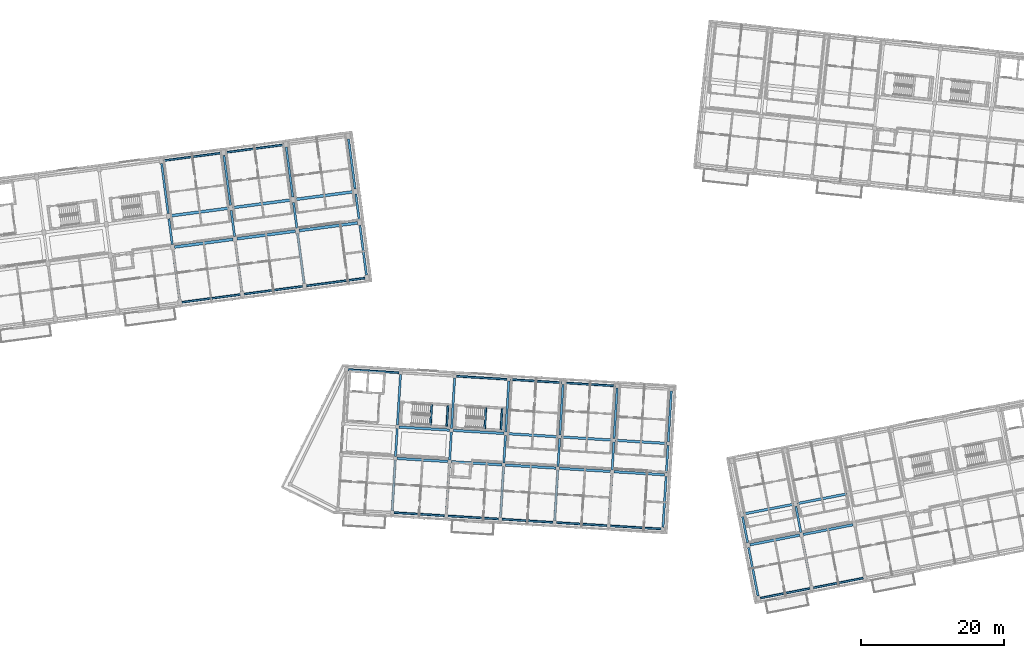
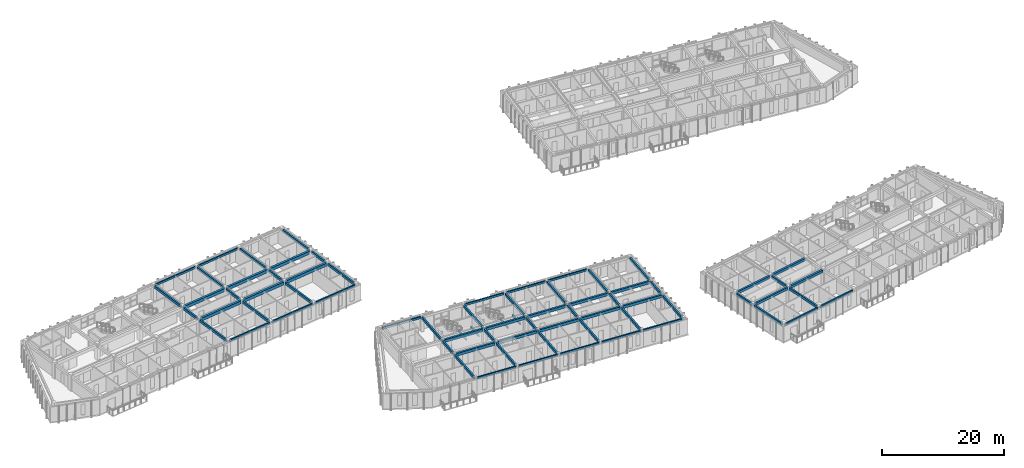
# One storey, part 5 of 66: 74 beams.
"""IFC4 building model written with IfcOpenShell, lengths in metres."""

from ifc_helpers import new_model, si_unit, direction, frame, origin, origin_2d, place, context, subcontext, project, spatial, rectangle, extrude, material, material_profile, profile_set, type_object, element, save


model = new_model("IFC4")

# Units and contexts
model_context = context("Model", 3, precision=1e-05, world=origin(), true_north=direction((0.0, 1.0)))
body_context = subcontext(model_context, "Body", "Model", "MODEL_VIEW")
ifc_project = project(units=[si_unit("LENGTHUNIT", "METRE"), si_unit("AREAUNIT", "SQUARE_METRE"), si_unit("VOLUMEUNIT", "CUBIC_METRE"), si_unit("PLANEANGLEUNIT", "RADIAN"), si_unit("MASSUNIT", "GRAM", prefix="KILO")], contexts=[model_context])

# Site, building, storey
site_placement = place(None, origin())
site = spatial("IfcSite", under=ifc_project, at=site_placement, CompositionType="ELEMENT")
building_placement = place(site_placement, origin())
building = spatial("IfcBuilding", under=site, at=building_placement, Name="Kestramere Prow Commons", CompositionType="ELEMENT")
storey_placement = place(building_placement, frame((0.0, 0.0, 14.89990234375)))
storey = spatial("IfcBuildingStorey", under=building, at=storey_placement, Name="L04", CompositionType="ELEMENT", Elevation=14.89990234375)

# Beams
ifc_material_1 = material(Name="Precast concrete C40/50", Category="concrete")
ifc_material_profile_1 = material_profile(ifc_material_1, rectangle(XDim=0.39990234375, YDim=0.60009765625, at=origin_2d()), Name="PC-BM 400x600")
ifc_profile_set_1 = profile_set([ifc_material_profile_1], Name="Precast concrete C40/50")
beam_type_1 = type_object("IfcBeamType", Name="BM-A1 PC-BM 400x600", PredefinedType="BEAM", material=ifc_profile_set_1)
beam_1_placement = place(storey_placement, frame((36.628662109375, 83.215087890625, 2.7001953125), z_axis=(0.991443917843, 0.130533358852, 0.0), x_axis=(-0.130533358852, 0.991443917843, 0.0)))
element("IfcBeam", 1, at=beam_1_placement, inside=storey, type_object=beam_type_1, Name="Block A L04 Longitudinal Beam 2-4", PredefinedType="BEAM", context=body_context, shape_type="SweptSolid", body=[
    extrude(rectangle(XDim=0.39990234375, YDim=0.60009765625, at=origin_2d()), origin(), (0.0, 0.0, 1.0), 8.25),
])
beam_2_placement = place(storey_placement, frame((45.353515625, 84.36376953125, 2.7001953125), z_axis=(0.991447243185, 0.130508099291, 0.0), x_axis=(-0.130508099291, 0.991447243185, 0.0)))
element("IfcBeam", 2, at=beam_2_placement, inside=storey, type_object=beam_type_1, Name="Block A L04 Longitudinal Beam 2-5", PredefinedType="BEAM", context=body_context, shape_type="SweptSolid", body=[
    extrude(rectangle(XDim=0.39990234375, YDim=0.60009765625, at=origin_2d()), origin(), (0.0, 0.0, 1.0), 8.249755859375),
])
for number, where, z_axis, x_axis, name in (
    (3, (54.078125, 85.51220703125, 2.7001953125), (0.991443917843, 0.130533358852, 0.0), (-0.130533358852, 0.991443917843, 0.0), "Block A L04 Longitudinal Beam 2-6"),
    (4, (36.054443359375, 87.577392578125, 2.7001953125), (0.991443917843, 0.130533358852, 0.0), (-0.130533358852, 0.991443917843, 0.0), "Block A L04 Longitudinal Beam 3-4"),
    (5, (44.779052734375, 88.72607421875, 2.7001953125), (0.991443917843, 0.130533358852, 0.0), (-0.130533358852, 0.991443917843, 0.0), "Block A L04 Longitudinal Beam 3-5"),
):
    element("IfcBeam", number, at=place(storey_placement, frame(where, z_axis=z_axis, x_axis=x_axis)), inside=storey, type_object=beam_type_1, Name=name, PredefinedType="BEAM", context=body_context, shape_type="SweptSolid", body=[
        extrude(rectangle(XDim=0.39990234375, YDim=0.60009765625, at=origin_2d()), origin(), (0.0, 0.0, 1.0), 8.25),
    ])
beam_3_placement = place(storey_placement, frame((53.50390625, 89.874755859375, 2.7001953125), z_axis=(0.991447243185, 0.130508099291, 0.0), x_axis=(-0.130508099291, 0.991447243185, 0.0)))
element("IfcBeam", 6, at=beam_3_placement, inside=storey, type_object=beam_type_1, Name="Block A L04 Longitudinal Beam 3-6", PredefinedType="BEAM", context=body_context, shape_type="SweptSolid", body=[
    extrude(rectangle(XDim=0.39990234375, YDim=0.60009765625, at=origin_2d()), origin(), (0.0, 0.0, 1.0), 8.249755859375),
])
ifc_material_profile_2 = material_profile(ifc_material_1, rectangle(XDim=0.35009765625, YDim=0.550048828125, at=origin_2d()), Name="PC-BM 350x550")
ifc_profile_set_2 = profile_set([ifc_material_profile_2], Name="Precast concrete C40/50")
beam_type_2 = type_object("IfcBeamType", Name="BM-C1 PC-BM 350x550", PredefinedType="BEAM", material=ifc_profile_set_2)
for number, where, z_axis, x_axis, name in (
    (7, (67.79931640625, 53.606689453125, 2.72509765625), (0.998133472633, -0.061070212127, 0.0), (0.061070212127, 0.998133472633, 0.0), "Block C L04 Longitudinal Beam 2-2"),
    (8, (75.38525390625, 53.142578125, 2.72509765625), (0.998135568114, -0.061035953884, 0.0), (0.061035953884, 0.998135568114, 0.0), "Block C L04 Longitudinal Beam 2-3"),
    (9, (82.970947265625, 52.6787109375, 2.72509765625), (0.998133472633, -0.061070212127, 0.0), (0.061070212127, 0.998133472633, 0.0), "Block C L04 Longitudinal Beam 2-4"),
    (10, (90.556884765625, 52.214599609375, 2.72509765625), (0.998135568114, -0.061035953884, 0.0), (0.061035953884, 0.998135568114, 0.0), "Block C L04 Longitudinal Beam 2-5"),
):
    element("IfcBeam", number, at=place(storey_placement, frame(where, z_axis=z_axis, x_axis=x_axis)), inside=storey, type_object=beam_type_2, Name=name, PredefinedType="BEAM", context=body_context, shape_type="SweptSolid", body=[
        extrude(rectangle(XDim=0.35009765625, YDim=0.550048828125, at=origin_2d()), origin(), (0.0, 0.0, 1.0), 7.099853515625),
    ])
for number, where, z_axis, x_axis, name in (
    (11, (98.142578125, 51.750732421875, 2.72509765625), (0.99813569621, -0.061033859059, 0.0), (0.061033859059, 0.99813569621, 0.0), "Block C L04 Longitudinal Beam 2-6"),
    (12, (68.06787109375, 57.998291015625, 2.72509765625), (0.99813569621, -0.061033859059, 0.0), (0.061033859059, 0.99813569621, 0.0), "Block C L04 Longitudinal Beam 3-2"),
):
    element("IfcBeam", number, at=place(storey_placement, frame(where, z_axis=z_axis, x_axis=x_axis)), inside=storey, type_object=beam_type_2, Name=name, PredefinedType="BEAM", context=body_context, shape_type="SweptSolid", body=[
        extrude(rectangle(XDim=0.35009765625, YDim=0.550048828125, at=origin_2d()), origin(), (0.0, 0.0, 1.0), 7.10009765625),
    ])
beam_4_placement = place(storey_placement, frame((75.65380859375, 57.534423828125, 2.72509765625), z_axis=(0.998135568114, -0.061035953884, 0.0), x_axis=(0.061035953884, 0.998135568114, 0.0)))
element("IfcBeam", 13, at=beam_4_placement, inside=storey, type_object=beam_type_2, Name="Block C L04 Longitudinal Beam 3-3", PredefinedType="BEAM", context=body_context, shape_type="SweptSolid", body=[
    extrude(rectangle(XDim=0.35009765625, YDim=0.550048828125, at=origin_2d()), origin(), (0.0, 0.0, 1.0), 7.099853515625),
])
beam_5_placement = place(storey_placement, frame((83.239501953125, 57.070556640625, 2.72509765625), z_axis=(0.998133600873, -0.061068116134, 0.0), x_axis=(0.061068116134, 0.998133600873, 0.0)))
element("IfcBeam", 14, at=beam_5_placement, inside=storey, type_object=beam_type_2, Name="Block C L04 Longitudinal Beam 3-4", PredefinedType="BEAM", context=body_context, shape_type="SweptSolid", body=[
    extrude(rectangle(XDim=0.35009765625, YDim=0.550048828125, at=origin_2d()), origin(), (0.0, 0.0, 1.0), 7.10009765625),
])
beam_6_placement = place(storey_placement, frame((90.825439453125, 56.6064453125, 2.72509765625), z_axis=(0.998135568114, -0.061035953884, 0.0), x_axis=(0.061035953884, 0.998135568114, 0.0)))
element("IfcBeam", 15, at=beam_6_placement, inside=storey, type_object=beam_type_2, Name="Block C L04 Longitudinal Beam 3-5", PredefinedType="BEAM", context=body_context, shape_type="SweptSolid", body=[
    extrude(rectangle(XDim=0.35009765625, YDim=0.550048828125, at=origin_2d()), origin(), (0.0, 0.0, 1.0), 7.099853515625),
])
beam_7_placement = place(storey_placement, frame((98.4111328125, 56.142578125, 2.72509765625), z_axis=(0.998133600873, -0.061068116134, 0.0), x_axis=(0.061068116134, 0.998133600873, 0.0)))
element("IfcBeam", 16, at=beam_7_placement, inside=storey, type_object=beam_type_2, Name="Block C L04 Longitudinal Beam 3-6", PredefinedType="BEAM", context=body_context, shape_type="SweptSolid", body=[
    extrude(rectangle(XDim=0.35009765625, YDim=0.550048828125, at=origin_2d()), origin(), (0.0, 0.0, 1.0), 7.10009765625),
])
ifc_material_profile_3 = material_profile(ifc_material_1, rectangle(XDim=0.35009765625, YDim=0.5, at=origin_2d()), Name="PC-BM 350x500")
ifc_profile_set_3 = profile_set([ifc_material_profile_3], Name="Precast concrete C40/50")
beam_type_3 = type_object("IfcBeamType", Name="BM-D1 PC-BM 350x500", PredefinedType="BEAM", material=ifc_profile_set_3)
beam_8_placement = place(storey_placement, frame((117.1953125, 41.508056640625, 2.75), z_axis=(0.981627020401, 0.190809834175, 0.0), x_axis=(-0.190809834175, 0.981627020401, 0.0)))
element("IfcBeam", 17, at=beam_8_placement, inside=storey, type_object=beam_type_3, Name="Block D L04 Longitudinal Beam 2-1", PredefinedType="BEAM", context=body_context, shape_type="SweptSolid", body=[
    extrude(rectangle(XDim=0.35009765625, YDim=0.5, at=origin_2d()), origin(), (0.0, 0.0, 1.0), 7.099853515625),
])
beam_9_placement = place(storey_placement, frame((124.655517578125, 42.958251953125, 2.75), z_axis=(0.98162827229, 0.190803393686, 0.0), x_axis=(-0.190803393686, 0.98162827229, 0.0)))
element("IfcBeam", 18, at=beam_9_placement, inside=storey, type_object=beam_type_3, Name="Block D L04 Longitudinal Beam 2-2", PredefinedType="BEAM", context=body_context, shape_type="SweptSolid", body=[
    extrude(rectangle(XDim=0.35009765625, YDim=0.5, at=origin_2d()), origin(), (0.0, 0.0, 1.0), 7.10009765625),
])
for number, where, z_axis, x_axis, name in (
    (19, (116.355712890625, 45.8271484375, 2.75), (0.981627020401, 0.190809834175, 0.0), (-0.190809834175, 0.981627020401, 0.0), "Block D L04 Longitudinal Beam 3-1"),
    (20, (123.816162109375, 47.27734375, 2.75), (0.981627020401, 0.190809834175, 0.0), (-0.190809834175, 0.981627020401, 0.0), "Block D L04 Longitudinal Beam 3-2"),
):
    element("IfcBeam", number, at=place(storey_placement, frame(where, z_axis=z_axis, x_axis=x_axis)), inside=storey, type_object=beam_type_3, Name=name, PredefinedType="BEAM", context=body_context, shape_type="SweptSolid", body=[
        extrude(rectangle(XDim=0.35009765625, YDim=0.5, at=origin_2d()), origin(), (0.0, 0.0, 1.0), 7.099853515625),
    ])
ifc_material_2 = material(Name="Concrete C40/50", Category="concrete")
ifc_material_profile_4 = material_profile(ifc_material_2, rectangle(XDim=0.25, YDim=0.35009765625, at=origin_2d()), Name="PC-BM 250x350")
ifc_profile_set_4 = profile_set([ifc_material_profile_4], Name="Concrete C40/50")
beam_type_4 = type_object("IfcBeamType", Name="BM-ST-TRIM", PredefinedType="BEAM", material=ifc_profile_set_4)
for number, where, z_axis, x_axis, name in (
    (21, (72.462158203125, 58.260498046875, 1.25), (0.061073995712, 0.99813324113, 0.0), (-0.99813324113, 0.061073995712, 0.0), "ST-C1 L04 Landing Trimmer Beam 1A"),
    (22, (74.73779296875, 58.121337890625, 1.25), (0.061073995712, 0.99813324113, 0.0), (-0.99813324113, 0.061073995712, 0.0), "ST-C1 L04 Landing Trimmer Beam 1B"),
):
    element("IfcBeam", number, at=place(storey_placement, frame(where, z_axis=z_axis, x_axis=x_axis)), inside=storey, type_object=beam_type_4, Name=name, PredefinedType="BEAM", context=body_context, shape_type="SweptSolid", body=[
        extrude(rectangle(XDim=0.25, YDim=0.35009765625, at=origin_2d()), origin(), (0.0, 0.0, 1.0), 2.89013671875),
    ])
for number, where, z_axis, x_axis, name in (
    (23, (80.0478515625, 57.796630859375, 1.25), (0.06107914562, 0.998132926003, 0.0), (-0.998132926003, 0.06107914562, 0.0), "ST-C2 L04 Landing Trimmer Beam 1A"),
    (24, (82.32373046875, 57.657470703125, 1.25), (0.06107914562, 0.998132926003, 0.0), (-0.998132926003, 0.06107914562, 0.0), "ST-C2 L04 Landing Trimmer Beam 1B"),
):
    element("IfcBeam", number, at=place(storey_placement, frame(where, z_axis=z_axis, x_axis=x_axis)), inside=storey, type_object=beam_type_4, Name=name, PredefinedType="BEAM", context=body_context, shape_type="SweptSolid", body=[
        extrude(rectangle(XDim=0.25, YDim=0.35009765625, at=origin_2d()), origin(), (0.0, 0.0, 1.0), 2.889892578125),
    ])
ifc_material_profile_5 = material_profile(ifc_material_1, rectangle(XDim=0.300048828125, YDim=0.5, at=origin_2d()), Name="PC-BM 300x500")
ifc_profile_set_5 = profile_set([ifc_material_profile_5], Name="Precast concrete C40/50")
beam_type_5 = type_object("IfcBeamType", Name="BM-TIE-01 PC-BM 300x500", PredefinedType="BEAM", material=ifc_profile_set_5)
beam_10_placement = place(storey_placement, frame((37.3251953125, 75.817626953125, 2.75), z_axis=(-0.130519009654, 0.99144580695, 0.0), x_axis=(-0.99144580695, -0.130519009654, 0.0)))
element("IfcBeam", 25, at=beam_10_placement, inside=storey, type_object=beam_type_5, Name="Block A L04 Transverse Beam 4-1", PredefinedType="BEAM", context=body_context, shape_type="SweptSolid", body=[
    extrude(rectangle(XDim=0.300048828125, YDim=0.5, at=origin_2d()), origin(), (0.0, 0.0, 1.0), 7.050048828125),
])
beam_11_placement = place(storey_placement, frame((36.30712890625, 83.551025390625, 2.75), z_axis=(-0.130568711427, 0.991439262687, 0.0), x_axis=(-0.991439262687, -0.130568711427, 0.0)))
element("IfcBeam", 26, at=beam_11_placement, inside=storey, type_object=beam_type_5, Name="Block A L04 Transverse Beam 4-2", PredefinedType="BEAM", context=body_context, shape_type="SweptSolid", body=[
    extrude(rectangle(XDim=0.300048828125, YDim=0.5, at=origin_2d()), origin(), (0.0, 0.0, 1.0), 3.64990234375),
])
for number, where, z_axis, x_axis, name in (
    (27, (35.732666015625, 87.913330078125, 2.75), (-0.130519009654, 0.99144580695, 0.0), (-0.99144580695, -0.130519009654, 0.0), "Block A L04 Transverse Beam 4-3"),
    (28, (46.0498046875, 76.96630859375, 2.75), (-0.130519009654, 0.99144580695, 0.0), (-0.99144580695, -0.130519009654, 0.0), "Block A L04 Transverse Beam 5-1"),
):
    element("IfcBeam", number, at=place(storey_placement, frame(where, z_axis=z_axis, x_axis=x_axis)), inside=storey, type_object=beam_type_5, Name=name, PredefinedType="BEAM", context=body_context, shape_type="SweptSolid", body=[
        extrude(rectangle(XDim=0.300048828125, YDim=0.5, at=origin_2d()), origin(), (0.0, 0.0, 1.0), 7.050048828125),
    ])
beam_12_placement = place(storey_placement, frame((45.03173828125, 84.699462890625, 2.75), z_axis=(-0.130494307047, 0.991449058615, 0.0), x_axis=(-0.991449058615, -0.130494307047, 0.0)))
element("IfcBeam", 29, at=beam_12_placement, inside=storey, type_object=beam_type_5, Name="Block A L04 Transverse Beam 5-2", PredefinedType="BEAM", context=body_context, shape_type="SweptSolid", body=[
    extrude(rectangle(XDim=0.300048828125, YDim=0.5, at=origin_2d()), origin(), (0.0, 0.0, 1.0), 3.650146484375),
])
beam_13_placement = place(storey_placement, frame((44.45751953125, 89.06201171875, 2.75), z_axis=(-0.130523490966, 0.991445216997, 0.0), x_axis=(-0.991445216997, -0.130523490966, 0.0)))
element("IfcBeam", 30, at=beam_13_placement, inside=storey, type_object=beam_type_5, Name="Block A L04 Transverse Beam 5-3", PredefinedType="BEAM", context=body_context, shape_type="SweptSolid", body=[
    extrude(rectangle(XDim=0.300048828125, YDim=0.5, at=origin_2d()), origin(), (0.0, 0.0, 1.0), 7.0498046875),
])
beam_14_placement = place(storey_placement, frame((54.774658203125, 78.114990234375, 2.75), z_axis=(-0.130519009654, 0.99144580695, 0.0), x_axis=(-0.99144580695, -0.130519009654, 0.0)))
element("IfcBeam", 31, at=beam_14_placement, inside=storey, type_object=beam_type_5, Name="Block A L04 Transverse Beam 6-1", PredefinedType="BEAM", context=body_context, shape_type="SweptSolid", body=[
    extrude(rectangle(XDim=0.300048828125, YDim=0.5, at=origin_2d()), origin(), (0.0, 0.0, 1.0), 7.050048828125),
])
beam_15_placement = place(storey_placement, frame((53.756591796875, 85.84814453125, 2.75), z_axis=(-0.13056005306, 0.991440402921, 0.0), x_axis=(-0.991440402921, -0.13056005306, 0.0)))
element("IfcBeam", 32, at=beam_15_placement, inside=storey, type_object=beam_type_5, Name="Block A L04 Transverse Beam 6-2", PredefinedType="BEAM", context=body_context, shape_type="SweptSolid", body=[
    extrude(rectangle(XDim=0.300048828125, YDim=0.5, at=origin_2d()), origin(), (0.0, 0.0, 1.0), 3.650146484375),
])
for number, where, z_axis, x_axis, name in (
    (33, (53.18212890625, 90.210693359375, 2.75), (-0.130523490966, 0.991445216997, 0.0), (-0.991445216997, -0.130523490966, 0.0), "Block A L04 Transverse Beam 6-3"),
    (34, (63.499267578125, 79.263671875, 2.75), (-0.130523490966, 0.991445216997, 0.0), (-0.991445216997, -0.130523490966, 0.0), "Block A L04 Transverse Beam 7-1"),
):
    element("IfcBeam", number, at=place(storey_placement, frame(where, z_axis=z_axis, x_axis=x_axis)), inside=storey, type_object=beam_type_5, Name=name, PredefinedType="BEAM", context=body_context, shape_type="SweptSolid", body=[
        extrude(rectangle(XDim=0.300048828125, YDim=0.5, at=origin_2d()), origin(), (0.0, 0.0, 1.0), 7.0498046875),
    ])
beam_16_placement = place(storey_placement, frame((62.481201171875, 86.996826171875, 2.75), z_axis=(-0.130494307047, 0.991449058615, 0.0), x_axis=(-0.991449058615, -0.130494307047, 0.0)))
element("IfcBeam", 35, at=beam_16_placement, inside=storey, type_object=beam_type_5, Name="Block A L04 Transverse Beam 7-2", PredefinedType="BEAM", context=body_context, shape_type="SweptSolid", body=[
    extrude(rectangle(XDim=0.300048828125, YDim=0.5, at=origin_2d()), origin(), (0.0, 0.0, 1.0), 3.650146484375),
])
beam_17_placement = place(storey_placement, frame((61.906982421875, 91.359130859375, 2.75), z_axis=(-0.130519009654, 0.99144580695, 0.0), x_axis=(-0.99144580695, -0.130519009654, 0.0)))
element("IfcBeam", 36, at=beam_17_placement, inside=storey, type_object=beam_type_5, Name="Block A L04 Transverse Beam 7-3", PredefinedType="BEAM", context=body_context, shape_type="SweptSolid", body=[
    extrude(rectangle(XDim=0.300048828125, YDim=0.5, at=origin_2d()), origin(), (0.0, 0.0, 1.0), 7.050048828125),
])
beam_18_placement = place(storey_placement, frame((67.10107421875, 46.28564453125, 2.75), z_axis=(0.061035953884, 0.998135568114, 0.0), x_axis=(-0.998135568114, 0.061035953884, 0.0)))
element("IfcBeam", 37, at=beam_18_placement, inside=storey, type_object=beam_type_5, Name="Block C L04 Transverse Beam 2-1", PredefinedType="BEAM", context=body_context, shape_type="SweptSolid", body=[
    extrude(rectangle(XDim=0.300048828125, YDim=0.5, at=origin_2d()), origin(), (0.0, 0.0, 1.0), 7.099853515625),
])
beam_19_placement = place(storey_placement, frame((67.56494140625, 53.871337890625, 2.75), z_axis=(0.061096063045, 0.998131890624, 0.0), x_axis=(-0.998131890624, 0.061096063045, 0.0)))
element("IfcBeam", 38, at=beam_19_placement, inside=storey, type_object=beam_type_5, Name="Block C L04 Transverse Beam 2-2", PredefinedType="BEAM", context=body_context, shape_type="SweptSolid", body=[
    extrude(rectangle(XDim=0.300048828125, YDim=0.5, at=origin_2d()), origin(), (0.0, 0.0, 1.0), 3.900146484375),
])
beam_20_placement = place(storey_placement, frame((67.833740234375, 58.26318359375, 2.75), z_axis=(0.061035953884, 0.998135568114, 0.0), x_axis=(-0.998135568114, 0.061035953884, 0.0)))
element("IfcBeam", 39, at=beam_20_placement, inside=storey, type_object=beam_type_5, Name="Block C L04 Transverse Beam 2-3", PredefinedType="BEAM", context=body_context, shape_type="SweptSolid", body=[
    extrude(rectangle(XDim=0.300048828125, YDim=0.5, at=origin_2d()), origin(), (0.0, 0.0, 1.0), 7.099853515625),
])
beam_21_placement = place(storey_placement, frame((74.68701171875, 45.821533203125, 2.75), z_axis=(0.061033859059, 0.99813569621, 0.0), x_axis=(-0.99813569621, 0.061033859059, 0.0)))
element("IfcBeam", 40, at=beam_21_placement, inside=storey, type_object=beam_type_5, Name="Block C L04 Transverse Beam 3-1", PredefinedType="BEAM", context=body_context, shape_type="SweptSolid", body=[
    extrude(rectangle(XDim=0.300048828125, YDim=0.5, at=origin_2d()), origin(), (0.0, 0.0, 1.0), 7.10009765625),
])
beam_22_placement = place(storey_placement, frame((75.15087890625, 53.407470703125, 2.75), z_axis=(0.061037511668, 0.998135472854, 0.0), x_axis=(-0.998135472854, 0.061037511668, 0.0)))
element("IfcBeam", 41, at=beam_22_placement, inside=storey, type_object=beam_type_5, Name="Block C L04 Transverse Beam 3-2", PredefinedType="BEAM", context=body_context, shape_type="SweptSolid", body=[
    extrude(rectangle(XDim=0.300048828125, YDim=0.5, at=origin_2d()), origin(), (0.0, 0.0, 1.0), 3.89990234375),
])
for number, where, z_axis, x_axis, name in (
    (42, (75.41943359375, 57.79931640625, 2.75), (0.061070212127, 0.998133472633, 0.0), (-0.998133472633, 0.061070212127, 0.0), "Block C L04 Transverse Beam 3-3"),
    (43, (82.272705078125, 45.357666015625, 2.75), (0.061070212127, 0.998133472633, 0.0), (-0.998133472633, 0.061070212127, 0.0), "Block C L04 Transverse Beam 4-1"),
):
    element("IfcBeam", number, at=place(storey_placement, frame(where, z_axis=z_axis, x_axis=x_axis)), inside=storey, type_object=beam_type_5, Name=name, PredefinedType="BEAM", context=body_context, shape_type="SweptSolid", body=[
        extrude(rectangle(XDim=0.300048828125, YDim=0.5, at=origin_2d()), origin(), (0.0, 0.0, 1.0), 7.099853515625),
    ])
beam_23_placement = place(storey_placement, frame((82.73681640625, 52.943359375, 2.75), z_axis=(0.061033697925, 0.998135706063, 0.0), x_axis=(-0.998135706063, 0.061033697925, 0.0)))
element("IfcBeam", 44, at=beam_23_placement, inside=storey, type_object=beam_type_5, Name="Block C L04 Transverse Beam 4-2", PredefinedType="BEAM", context=body_context, shape_type="SweptSolid", body=[
    extrude(rectangle(XDim=0.300048828125, YDim=0.5, at=origin_2d()), origin(), (0.0, 0.0, 1.0), 3.900146484375),
])
for number, where, z_axis, x_axis, name in (
    (45, (83.00537109375, 57.335205078125, 2.75), (0.061033859059, 0.99813569621, 0.0), (-0.99813569621, 0.061033859059, 0.0), "Block C L04 Transverse Beam 4-3"),
    (46, (89.858642578125, 44.8935546875, 2.75), (0.061033859059, 0.99813569621, 0.0), (-0.99813569621, 0.061033859059, 0.0), "Block C L04 Transverse Beam 5-1"),
):
    element("IfcBeam", number, at=place(storey_placement, frame(where, z_axis=z_axis, x_axis=x_axis)), inside=storey, type_object=beam_type_5, Name=name, PredefinedType="BEAM", context=body_context, shape_type="SweptSolid", body=[
        extrude(rectangle(XDim=0.300048828125, YDim=0.5, at=origin_2d()), origin(), (0.0, 0.0, 1.0), 7.10009765625),
    ])
beam_24_placement = place(storey_placement, frame((90.322509765625, 52.4794921875, 2.75), z_axis=(0.061033697925, 0.998135706063, 0.0), x_axis=(-0.998135706063, 0.061033697925, 0.0)))
element("IfcBeam", 47, at=beam_24_placement, inside=storey, type_object=beam_type_5, Name="Block C L04 Transverse Beam 5-2", PredefinedType="BEAM", context=body_context, shape_type="SweptSolid", body=[
    extrude(rectangle(XDim=0.300048828125, YDim=0.5, at=origin_2d()), origin(), (0.0, 0.0, 1.0), 3.900146484375),
])
for number, where, z_axis, x_axis, name in (
    (48, (90.591064453125, 56.871337890625, 2.75), (0.061070212127, 0.998133472633, 0.0), (-0.998133472633, 0.061070212127, 0.0), "Block C L04 Transverse Beam 5-3"),
    (49, (97.4443359375, 44.4296875, 2.75), (0.061070212127, 0.998133472633, 0.0), (-0.998133472633, 0.061070212127, 0.0), "Block C L04 Transverse Beam 6-1"),
):
    element("IfcBeam", number, at=place(storey_placement, frame(where, z_axis=z_axis, x_axis=x_axis)), inside=storey, type_object=beam_type_5, Name=name, PredefinedType="BEAM", context=body_context, shape_type="SweptSolid", body=[
        extrude(rectangle(XDim=0.300048828125, YDim=0.5, at=origin_2d()), origin(), (0.0, 0.0, 1.0), 7.099853515625),
    ])
beam_25_placement = place(storey_placement, frame((97.908447265625, 52.015625, 2.75), z_axis=(0.061037511668, 0.998135472854, 0.0), x_axis=(-0.998135472854, 0.061037511668, 0.0)))
element("IfcBeam", 50, at=beam_25_placement, inside=storey, type_object=beam_type_5, Name="Block C L04 Transverse Beam 6-2", PredefinedType="BEAM", context=body_context, shape_type="SweptSolid", body=[
    extrude(rectangle(XDim=0.300048828125, YDim=0.5, at=origin_2d()), origin(), (0.0, 0.0, 1.0), 3.89990234375),
])
beam_26_placement = place(storey_placement, frame((98.177001953125, 56.4072265625, 2.75), z_axis=(0.061033859059, 0.99813569621, 0.0), x_axis=(-0.99813569621, 0.061033859059, 0.0)))
element("IfcBeam", 51, at=beam_26_placement, inside=storey, type_object=beam_type_5, Name="Block C L04 Transverse Beam 6-3", PredefinedType="BEAM", context=body_context, shape_type="SweptSolid", body=[
    extrude(rectangle(XDim=0.300048828125, YDim=0.5, at=origin_2d()), origin(), (0.0, 0.0, 1.0), 7.10009765625),
])
beam_27_placement = place(storey_placement, frame((105.0302734375, 43.9658203125, 2.75), z_axis=(0.061035953884, 0.998135568114, 0.0), x_axis=(-0.998135568114, 0.061035953884, 0.0)))
element("IfcBeam", 52, at=beam_27_placement, inside=storey, type_object=beam_type_5, Name="Block C L04 Transverse Beam 7-1", PredefinedType="BEAM", context=body_context, shape_type="SweptSolid", body=[
    extrude(rectangle(XDim=0.300048828125, YDim=0.5, at=origin_2d()), origin(), (0.0, 0.0, 1.0), 7.099853515625),
])
beam_28_placement = place(storey_placement, frame((105.494140625, 51.551513671875, 2.75), z_axis=(0.061033697925, 0.998135706063, 0.0), x_axis=(-0.998135706063, 0.061033697925, 0.0)))
element("IfcBeam", 53, at=beam_28_placement, inside=storey, type_object=beam_type_5, Name="Block C L04 Transverse Beam 7-2", PredefinedType="BEAM", context=body_context, shape_type="SweptSolid", body=[
    extrude(rectangle(XDim=0.300048828125, YDim=0.5, at=origin_2d()), origin(), (0.0, 0.0, 1.0), 3.900146484375),
])
beam_29_placement = place(storey_placement, frame((105.7626953125, 55.943359375, 2.75), z_axis=(0.061070212127, 0.998133472633, 0.0), x_axis=(-0.998133472633, 0.061070212127, 0.0)))
element("IfcBeam", 54, at=beam_29_placement, inside=storey, type_object=beam_type_5, Name="Block C L04 Transverse Beam 7-3", PredefinedType="BEAM", context=body_context, shape_type="SweptSolid", body=[
    extrude(rectangle(XDim=0.300048828125, YDim=0.5, at=origin_2d()), origin(), (0.0, 0.0, 1.0), 7.099853515625),
])
beam_30_placement = place(storey_placement, frame((118.333251953125, 34.343505859375, 2.75), z_axis=(-0.190819465253, 0.981625148252, 0.0), x_axis=(-0.981625148252, -0.190819465253, 0.0)))
element("IfcBeam", 55, at=beam_30_placement, inside=storey, type_object=beam_type_5, Name="Block D L04 Transverse Beam 1-1", PredefinedType="BEAM", context=body_context, shape_type="SweptSolid", body=[
    extrude(rectangle(XDim=0.300048828125, YDim=0.5, at=origin_2d()), origin(), (0.0, 0.0, 1.0), 6.89990234375),
])
beam_31_placement = place(storey_placement, frame((116.883056640625, 41.803955078125, 2.75), z_axis=(-0.190821974723, 0.981624660429, 0.0), x_axis=(-0.981624660429, -0.190821974723, 0.0)))
element("IfcBeam", 56, at=beam_31_placement, inside=storey, type_object=beam_type_5, Name="Block D L04 Transverse Beam 1-2", PredefinedType="BEAM", context=body_context, shape_type="SweptSolid", body=[
    extrude(rectangle(XDim=0.300048828125, YDim=0.5, at=origin_2d()), origin(), (0.0, 0.0, 1.0), 3.699951171875),
])
beam_32_placement = place(storey_placement, frame((125.793701171875, 35.793701171875, 2.75), z_axis=(-0.190819465253, 0.981625148252, 0.0), x_axis=(-0.981625148252, -0.190819465253, 0.0)))
element("IfcBeam", 57, at=beam_32_placement, inside=storey, type_object=beam_type_5, Name="Block D L04 Transverse Beam 2-1", PredefinedType="BEAM", context=body_context, shape_type="SweptSolid", body=[
    extrude(rectangle(XDim=0.300048828125, YDim=0.5, at=origin_2d()), origin(), (0.0, 0.0, 1.0), 6.89990234375),
])
beam_33_placement = place(storey_placement, frame((124.343505859375, 43.254150390625, 2.75), z_axis=(-0.190834335095, 0.981622257566, 0.0), x_axis=(-0.981622257566, -0.190834335095, 0.0)))
element("IfcBeam", 58, at=beam_33_placement, inside=storey, type_object=beam_type_5, Name="Block D L04 Transverse Beam 2-2", PredefinedType="BEAM", context=body_context, shape_type="SweptSolid", body=[
    extrude(rectangle(XDim=0.300048828125, YDim=0.5, at=origin_2d()), origin(), (0.0, 0.0, 1.0), 3.699951171875),
])
ifc_material_profile_6 = material_profile(ifc_material_1, rectangle(XDim=0.25, YDim=0.39990234375, at=origin_2d()), Name="PC-SP 250x400")
ifc_profile_set_6 = profile_set([ifc_material_profile_6], Name="Precast concrete C40/50")
beam_type_6 = type_object("IfcBeamType", Name="SP-EXT-01 PC-SP 250x400", PredefinedType="SPANDREL", material=ifc_profile_set_6)
for number, where, z_axis, x_axis, name in (
    (59, (37.646728515625, 75.481689453125, 2.800048828125), (0.991443917843, 0.130533358852, 0.0), (-0.130533358852, 0.991443917843, 0.0), "Block A L04 Longitudinal Beam 1-4"),
    (60, (46.37158203125, 76.63037109375, 2.800048828125), (0.991443917843, 0.130533358852, 0.0), (-0.130533358852, 0.991443917843, 0.0), "Block A L04 Longitudinal Beam 1-5"),
    (61, (55.09619140625, 77.779052734375, 2.800048828125), (0.991443917843, 0.130533358852, 0.0), (-0.130533358852, 0.991443917843, 0.0), "Block A L04 Longitudinal Beam 1-6"),
):
    element("IfcBeam", number, at=place(storey_placement, frame(where, z_axis=z_axis, x_axis=x_axis)), inside=storey, type_object=beam_type_6, Name=name, PredefinedType="SPANDREL", context=body_context, shape_type="SweptSolid", body=[
        extrude(rectangle(XDim=0.25, YDim=0.39990234375, at=origin_2d()), origin(), (0.0, 0.0, 1.0), 8.25),
    ])
beam_34_placement = place(storey_placement, frame((35.036376953125, 95.310791015625, 2.800048828125), z_axis=(0.991447243185, 0.130508099291, 0.0), x_axis=(-0.130508099291, 0.991447243185, 0.0)))
element("IfcBeam", 62, at=beam_34_placement, inside=storey, type_object=beam_type_6, Name="Block A L04 Longitudinal Beam 4-4", PredefinedType="SPANDREL", context=body_context, shape_type="SweptSolid", body=[
    extrude(rectangle(XDim=0.25, YDim=0.39990234375, at=origin_2d()), origin(), (0.0, 0.0, 1.0), 8.249755859375),
])
beam_35_placement = place(storey_placement, frame((43.760986328125, 96.459228515625, 2.800048828125), z_axis=(0.991443917843, 0.130533358852, 0.0), x_axis=(-0.130533358852, 0.991443917843, 0.0)))
element("IfcBeam", 63, at=beam_35_placement, inside=storey, type_object=beam_type_6, Name="Block A L04 Longitudinal Beam 4-5", PredefinedType="SPANDREL", context=body_context, shape_type="SweptSolid", body=[
    extrude(rectangle(XDim=0.25, YDim=0.39990234375, at=origin_2d()), origin(), (0.0, 0.0, 1.0), 8.25),
])
beam_36_placement = place(storey_placement, frame((67.33544921875, 46.020751953125, 2.800048828125), z_axis=(0.998135568114, -0.061035953884, 0.0), x_axis=(0.061035953884, 0.998135568114, 0.0)))
element("IfcBeam", 64, at=beam_36_placement, inside=storey, type_object=beam_type_6, Name="Block C L04 Longitudinal Beam 1-2", PredefinedType="SPANDREL", context=body_context, shape_type="SweptSolid", body=[
    extrude(rectangle(XDim=0.25, YDim=0.39990234375, at=origin_2d()), origin(), (0.0, 0.0, 1.0), 7.099853515625),
])
beam_37_placement = place(storey_placement, frame((74.921142578125, 45.556884765625, 2.800048828125), z_axis=(0.998133600873, -0.061068116134, 0.0), x_axis=(0.061068116134, 0.998133600873, 0.0)))
element("IfcBeam", 65, at=beam_37_placement, inside=storey, type_object=beam_type_6, Name="Block C L04 Longitudinal Beam 1-3", PredefinedType="SPANDREL", context=body_context, shape_type="SweptSolid", body=[
    extrude(rectangle(XDim=0.25, YDim=0.39990234375, at=origin_2d()), origin(), (0.0, 0.0, 1.0), 7.10009765625),
])
beam_38_placement = place(storey_placement, frame((82.507080078125, 45.0927734375, 2.800048828125), z_axis=(0.998135568114, -0.061035953884, 0.0), x_axis=(0.061035953884, 0.998135568114, 0.0)))
element("IfcBeam", 66, at=beam_38_placement, inside=storey, type_object=beam_type_6, Name="Block C L04 Longitudinal Beam 1-4", PredefinedType="SPANDREL", context=body_context, shape_type="SweptSolid", body=[
    extrude(rectangle(XDim=0.25, YDim=0.39990234375, at=origin_2d()), origin(), (0.0, 0.0, 1.0), 7.099853515625),
])
beam_39_placement = place(storey_placement, frame((90.0927734375, 44.62890625, 2.800048828125), z_axis=(0.998133600873, -0.061068116134, 0.0), x_axis=(0.061068116134, 0.998133600873, 0.0)))
element("IfcBeam", 67, at=beam_39_placement, inside=storey, type_object=beam_type_6, Name="Block C L04 Longitudinal Beam 1-5", PredefinedType="SPANDREL", context=body_context, shape_type="SweptSolid", body=[
    extrude(rectangle(XDim=0.25, YDim=0.39990234375, at=origin_2d()), origin(), (0.0, 0.0, 1.0), 7.10009765625),
])
beam_40_placement = place(storey_placement, frame((97.6787109375, 44.164794921875, 2.800048828125), z_axis=(0.998135568114, -0.061035953884, 0.0), x_axis=(0.061035953884, 0.998135568114, 0.0)))
element("IfcBeam", 68, at=beam_40_placement, inside=storey, type_object=beam_type_6, Name="Block C L04 Longitudinal Beam 1-6", PredefinedType="SPANDREL", context=body_context, shape_type="SweptSolid", body=[
    extrude(rectangle(XDim=0.25, YDim=0.39990234375, at=origin_2d()), origin(), (0.0, 0.0, 1.0), 7.099853515625),
])
for number, where, z_axis, x_axis, name in (
    (69, (60.946044921875, 66.048095703125, 2.800048828125), (0.99813569621, -0.061033859059, 0.0), (0.061033859059, 0.99813569621, 0.0), "Block C L04 Longitudinal Beam 4-1"),
    (70, (76.11767578125, 65.120361328125, 2.800048828125), (0.998133600873, -0.061068116134, 0.0), (0.061068116134, 0.998133600873, 0.0), "Block C L04 Longitudinal Beam 4-3"),
):
    element("IfcBeam", number, at=place(storey_placement, frame(where, z_axis=z_axis, x_axis=x_axis)), inside=storey, type_object=beam_type_6, Name=name, PredefinedType="SPANDREL", context=body_context, shape_type="SweptSolid", body=[
        extrude(rectangle(XDim=0.25, YDim=0.39990234375, at=origin_2d()), origin(), (0.0, 0.0, 1.0), 7.10009765625),
    ])
beam_41_placement = place(storey_placement, frame((83.70361328125, 64.65625, 2.800048828125), z_axis=(0.998135568114, -0.061035953884, 0.0), x_axis=(0.061035953884, 0.998135568114, 0.0)))
element("IfcBeam", 71, at=beam_41_placement, inside=storey, type_object=beam_type_6, Name="Block C L04 Longitudinal Beam 4-4", PredefinedType="SPANDREL", context=body_context, shape_type="SweptSolid", body=[
    extrude(rectangle(XDim=0.25, YDim=0.39990234375, at=origin_2d()), origin(), (0.0, 0.0, 1.0), 7.099853515625),
])
beam_42_placement = place(storey_placement, frame((91.289306640625, 64.1923828125, 2.800048828125), z_axis=(0.998133600873, -0.061068116134, 0.0), x_axis=(0.061068116134, 0.998133600873, 0.0)))
element("IfcBeam", 72, at=beam_42_placement, inside=storey, type_object=beam_type_6, Name="Block C L04 Longitudinal Beam 4-5", PredefinedType="SPANDREL", context=body_context, shape_type="SweptSolid", body=[
    extrude(rectangle(XDim=0.25, YDim=0.39990234375, at=origin_2d()), origin(), (0.0, 0.0, 1.0), 7.10009765625),
])
beam_43_placement = place(storey_placement, frame((118.6455078125, 34.047607421875, 2.800048828125), z_axis=(0.981627020401, 0.190809834175, 0.0), x_axis=(-0.190809834175, 0.981627020401, 0.0)))
element("IfcBeam", 73, at=beam_43_placement, inside=storey, type_object=beam_type_6, Name="Block D L04 Longitudinal Beam 1-1", PredefinedType="SPANDREL", context=body_context, shape_type="SweptSolid", body=[
    extrude(rectangle(XDim=0.25, YDim=0.39990234375, at=origin_2d()), origin(), (0.0, 0.0, 1.0), 7.099853515625),
])
beam_44_placement = place(storey_placement, frame((126.105712890625, 35.497802734375, 2.800048828125), z_axis=(0.98162827229, 0.190803393686, 0.0), x_axis=(-0.190803393686, 0.98162827229, 0.0)))
element("IfcBeam", 74, at=beam_44_placement, inside=storey, type_object=beam_type_6, Name="Block D L04 Longitudinal Beam 1-2", PredefinedType="SPANDREL", context=body_context, shape_type="SweptSolid", body=[
    extrude(rectangle(XDim=0.25, YDim=0.39990234375, at=origin_2d()), origin(), (0.0, 0.0, 1.0), 7.10009765625),
])

save(model, "model.ifc")
